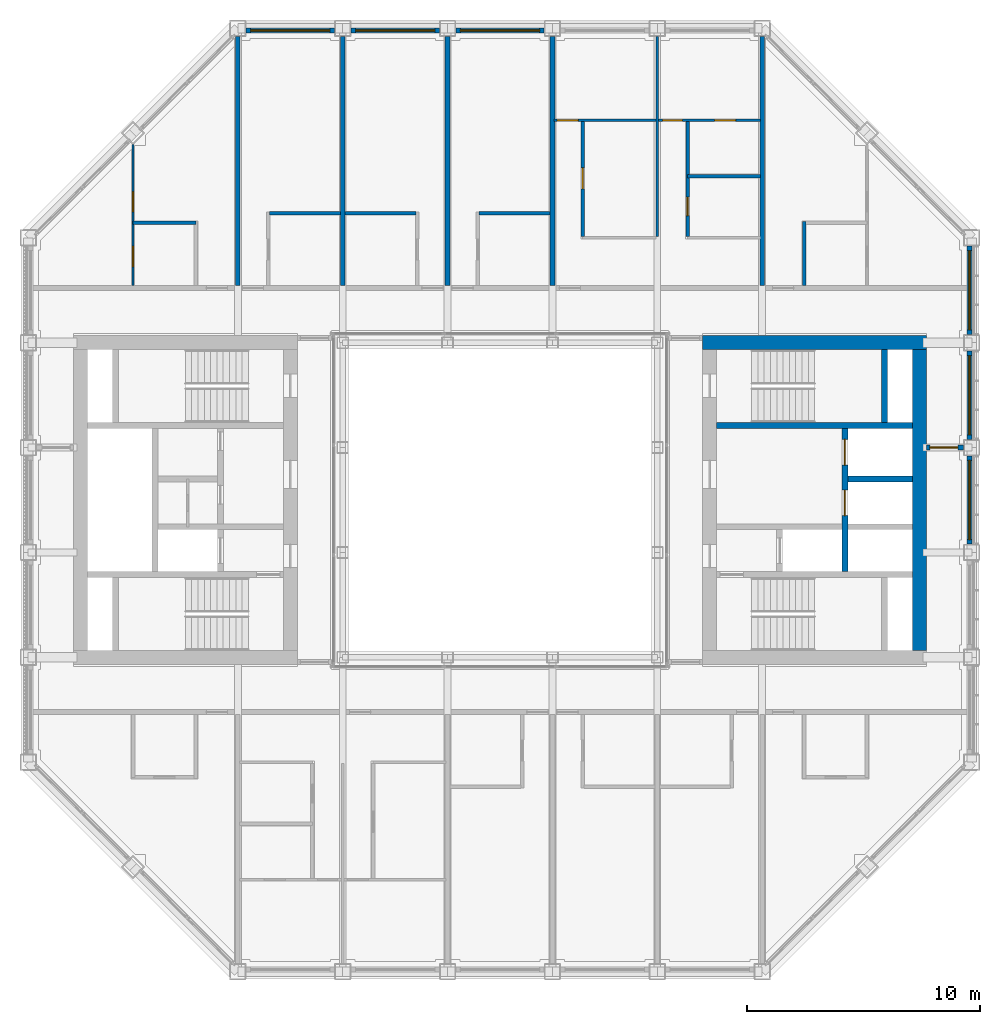
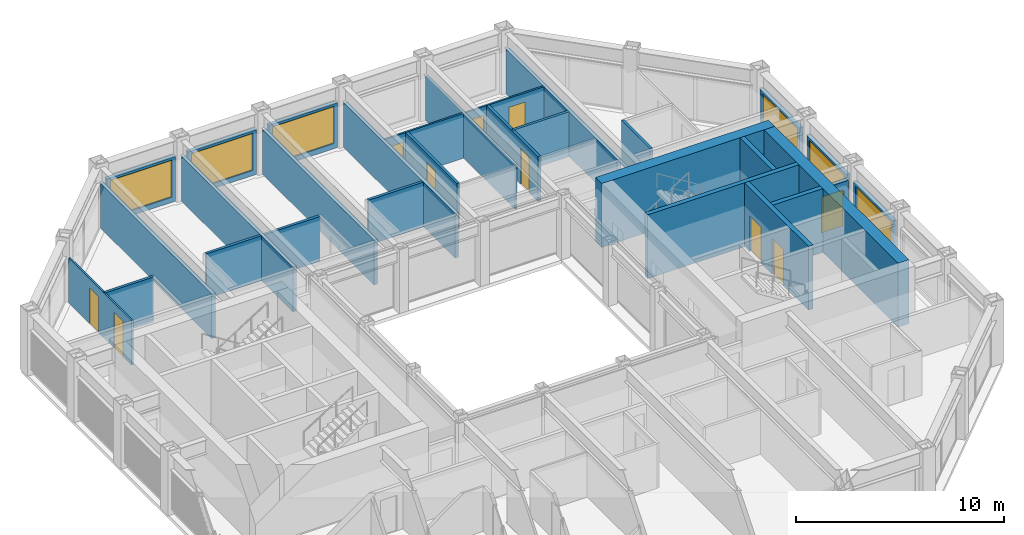
# One storey, part 12 of 18: 30 walls, 10 doors, 6 windows, 16 openings.
"""IFC4 building model written with IfcOpenShell, lengths in metres."""

from ifc_helpers import new_model, si_unit, direction, frame, frame_2d, origin, place, context, subcontext, project, spatial, rectangle, extrude, material, layer, layer_set, type_object, element, fill, save


model = new_model("IFC4")

# Units and contexts
model_context = context("Model", 3, precision=1e-05, world=origin(), true_north=direction((0.0, 1.0)))
body_context = subcontext(model_context, "Body", "Model", "MODEL_VIEW")
ifc_project = project(units=[si_unit("LENGTHUNIT", "METRE"), si_unit("AREAUNIT", "SQUARE_METRE"), si_unit("VOLUMEUNIT", "CUBIC_METRE"), si_unit("PLANEANGLEUNIT", "RADIAN"), si_unit("MASSUNIT", "GRAM", prefix="KILO")], contexts=[model_context])

# Site, building, storey
site_placement = place(None, origin())
site = spatial("IfcSite", under=ifc_project, at=site_placement, CompositionType="ELEMENT")
building_placement = place(site_placement, origin())
building = spatial("IfcBuilding", under=site, at=building_placement, Name="Msasa Ring Tower", CompositionType="ELEMENT")
storey_placement = place(building_placement, frame((0.0, 0.0, 227.050048828125)))
storey = spatial("IfcBuildingStorey", under=building, at=storey_placement, Name="L59", CompositionType="ELEMENT", Elevation=227.050048828125)

# Walls
ifc_material_1 = material(Name="Concrete C60/75", Category="concrete")
ifc_layer_1 = layer(ifc_material_1, 0.60009765625)
ifc_layer_set_1 = layer_set([ifc_layer_1], Name="CW3 CORE WALL 600")
wall_type_1 = type_object("IfcWallType", Name="CW3 CORE WALL 600", PredefinedType="SHEAR", material=ifc_layer_set_1)
wall_1_placement = place(storey_placement, frame((8.699951171875, 6.75, 0.0), z_axis=(0.0, 0.0, 1.0), x_axis=(1.0, 0.0, 0.0)))
element("IfcWall", 1, at=wall_1_placement, inside=storey, type_object=wall_type_1, Name="E core wall N L59", PredefinedType="SHEAR", context=body_context, shape_type="SweptSolid", body=[
    extrude(rectangle(XDim=9.60009765625, YDim=0.60009765625, at=frame_2d((4.800048828125, 0.0))), origin(), (0.0, 0.0, 1.0), 3.75),
])
wall_2_placement = place(storey_placement, frame((18.0, -6.449951171875, 0.0), z_axis=(0.0, 0.0, 1.0), x_axis=(0.0, 1.0, 0.0)))
element("IfcWall", 2, at=wall_2_placement, inside=storey, type_object=wall_type_1, Name="E core wall E L59", PredefinedType="SHEAR", context=body_context, shape_type="SweptSolid", body=[
    extrude(rectangle(XDim=12.89990234375, YDim=0.60009765625, at=frame_2d((6.449951171875, 0.0))), origin(), (0.0, 0.0, 1.0), 3.75),
])
ifc_material_2 = material(Name="Concrete C60/75", Category="concrete")
ifc_layer_2 = layer(ifc_material_2, 0.25)
ifc_layer_set_2 = layer_set([ifc_layer_2], Name="CW4 CORE INNER WALL 250")
wall_type_2 = type_object("IfcWallType", Name="CW4 CORE INNER WALL 250", PredefinedType="SHEAR", material=ifc_layer_set_2)
wall_3_placement = place(storey_placement, frame((9.300048828125, 3.199951171875, 0.0), z_axis=(0.0, 0.0, 1.0), x_axis=(1.0, 0.0, 0.0)))
element("IfcWall", 3, at=wall_3_placement, inside=storey, type_object=wall_type_2, Name="E core wall STAIRB L59", PredefinedType="SHEAR", context=body_context, shape_type="SweptSolid", body=[
    extrude(rectangle(XDim=8.39990234375, YDim=0.25, at=frame_2d((4.199951171875, 0.0))), origin(), (0.0, 0.0, 1.0), 3.75),
])
wall_4_placement = place(storey_placement, frame((16.5, 3.324951171875, 0.0), z_axis=(0.0, 0.0, 1.0), x_axis=(0.0, 1.0, 0.0)))
element("IfcWall", 4, at=wall_4_placement, inside=storey, type_object=wall_type_2, Name="E core wall RISERB L59", PredefinedType="SHEAR", context=body_context, shape_type="SweptSolid", body=[
    extrude(rectangle(XDim=3.125, YDim=0.25, at=frame_2d((1.5625, 0.0))), origin(), (0.0, 0.0, 1.0), 3.75),
])

# Wall, openings, doors
wall_5_placement = place(storey_placement, frame((14.800048828125, -3.074951171875, 0.0), z_axis=(0.0, 0.0, 1.0), x_axis=(0.0, 1.0, 0.0)))
wall_5 = element("IfcWall", 5, at=wall_5_placement, inside=storey, type_object=wall_type_2, Name="E core wall SHAFT L59", PredefinedType="SHEAR", context=body_context, shape_type="SweptSolid", body=[
    extrude(rectangle(XDim=6.14990234375, YDim=0.25, at=frame_2d((3.074951171875, 0.0))), origin(), (0.0, 0.0, 1.0), 3.75),
])
opening_1_placement = place(wall_5_placement, frame((2.39990234375, 0.0, 0.0)))
opening_1 = element("IfcOpeningElement", 6, at=opening_1_placement, cuts=wall_5, Name="Opening LD1", PredefinedType="OPENING", context=body_context, shape_type="SweptSolid", body=[
    extrude(rectangle(XDim=1.10009765625, YDim=2.10009765625, at=frame_2d((0.550048828125, 1.050048828125))), frame((0.0, 0.135009765625, 0.0), z_axis=(0.0, -1.0, 0.0), x_axis=(1.0, 0.0, 0.0)), (0.0, 0.0, 1.0), 0.27001953125),
])
opening_2_placement = place(wall_5_placement, frame((4.574951171875, 0.0, 0.0)))
opening_2 = element("IfcOpeningElement", 7, at=opening_2_placement, cuts=wall_5, Name="Opening LD1", PredefinedType="OPENING", context=body_context, shape_type="SweptSolid", body=[
    extrude(rectangle(XDim=1.10009765625, YDim=2.10009765625, at=frame_2d((0.550048828125, 1.050048828125))), frame((0.0, 0.135009765625, 0.0), z_axis=(0.0, -1.0, 0.0), x_axis=(1.0, 0.0, 0.0)), (0.0, 0.0, 1.0), 0.27001953125),
])
ifc_material_3 = material(Name="Stainless steel lift landing door", Category="steel")
door_type_1 = type_object("IfcDoorType", Name="LD1 LIFT LANDING DOOR 1100x2100", OperationType="DOUBLE_DOOR_SLIDING", PredefinedType="DOOR", material=ifc_material_3)
door_1_placement = place(opening_1_placement, origin())
door_1 = element("IfcDoor", 8, at=door_1_placement, inside=storey, type_object=door_type_1, Name="Lift landing door PL-H1 L59", OperationType="DOUBLE_DOOR_SLIDING", OverallHeight=2.10009765625, OverallWidth=1.10009765625, PredefinedType="DOOR", context=body_context, shape_type="SweptSolid", body=[
    extrude(rectangle(XDim=1.10009765625, YDim=2.10009765625, at=frame_2d((0.550048828125, 1.050048828125))), frame((0.0, 0.02490234375, 0.0), z_axis=(0.0, -1.0, 0.0), x_axis=(1.0, 0.0, 0.0)), (0.0, 0.0, 1.0), 0.050048828125),
])
fill(opening_1, door_1)
door_2_placement = place(opening_2_placement, origin())
door_2 = element("IfcDoor", 9, at=door_2_placement, inside=storey, type_object=door_type_1, Name="Lift landing door PL-H2 L59", OperationType="DOUBLE_DOOR_SLIDING", OverallHeight=2.10009765625, OverallWidth=1.10009765625, PredefinedType="DOOR", context=body_context, shape_type="SweptSolid", body=[
    extrude(rectangle(XDim=1.10009765625, YDim=2.10009765625, at=frame_2d((0.550048828125, 1.050048828125))), frame((0.0, 0.02490234375, 0.0), z_axis=(0.0, -1.0, 0.0), x_axis=(1.0, 0.0, 0.0)), (0.0, 0.0, 1.0), 0.050048828125),
])
fill(opening_2, door_2)

# Wall
wall_6_placement = place(storey_placement, frame((14.925048828125, 0.89990234375, 0.0), z_axis=(0.0, 0.0, 1.0), x_axis=(1.0, 0.0, 0.0)))
element("IfcWall", 10, at=wall_6_placement, inside=storey, type_object=wall_type_2, Name="E core wall HLIFT L59", PredefinedType="SHEAR", context=body_context, shape_type="SweptSolid", body=[
    extrude(rectangle(XDim=2.77490234375, YDim=0.25, at=frame_2d((1.387451171875, 0.0))), origin(), (0.0, 0.0, 1.0), 3.75),
])

# Wall, opening, window
ifc_material_4 = material(Name="Terracotta rainscreen on blockwork", Category="masonry")
ifc_layer_3 = layer(ifc_material_4, 0.199951171875)
ifc_layer_set_3 = layer_set([ifc_layer_3], Name="FW1 TERRACOTTA-LINED INFILL BAY WALL 200")
wall_type_3 = type_object("IfcWallType", Name="FW1 TERRACOTTA-LINED INFILL BAY WALL 200", PredefinedType="SOLIDWALL", material=ifc_layer_set_3)
wall_7_placement = place(storey_placement, frame((20.14990234375, -1.89501953125, 0.0), z_axis=(0.0, 0.0, 1.0), x_axis=(0.0, 1.0, 0.0)))
wall_7 = element("IfcWall", 11, at=wall_7_placement, inside=storey, type_object=wall_type_3, Name="Infill bay wall E L59 09", PredefinedType="SOLIDWALL", context=body_context, shape_type="SweptSolid", body=[
    extrude(rectangle(XDim=3.7900390625, YDim=0.199951171875, at=frame_2d((1.89501953125, 0.0))), origin(), (0.0, 0.0, 1.0), 2.62890625),
])
opening_3_placement = place(wall_7_placement, frame((0.195068359375, 0.0, 0.300048828125)))
opening_3 = element("IfcOpeningElement", 12, at=opening_3_placement, cuts=wall_7, Name="Opening WN3", PredefinedType="OPENING", context=body_context, shape_type="SweptSolid", body=[
    extrude(rectangle(XDim=3.39990234375, YDim=2.178955078125, at=frame_2d((1.699951171875, 1.08935546875))), frame((0.0, 0.10986328125, 0.0), z_axis=(0.0, -1.0, 0.0), x_axis=(1.0, 0.0, 0.0)), (0.0, 0.0, 1.0), 0.219970703125),
])
ifc_material_5 = material(Name="Aluminium frame with clear glass", Category="aluminium")
window_type = type_object("IfcWindowType", Name="WN3 SUITE WINDOW 3400x2179", PartitioningType="SINGLE_PANEL", PredefinedType="WINDOW", material=ifc_material_5)
window_1_placement = place(opening_3_placement, origin())
window_1 = element("IfcWindow", 13, at=window_1_placement, inside=storey, type_object=window_type, Name="Window E L59 09", OverallHeight=2.178955078125, OverallWidth=3.39990234375, PartitioningType="SINGLE_PANEL", PredefinedType="WINDOW", context=body_context, shape_type="SweptSolid", body=[
    extrude(rectangle(XDim=3.39990234375, YDim=2.178955078125, at=frame_2d((1.699951171875, 1.08935546875))), frame((0.0, 0.030029296875, 0.0), z_axis=(0.0, -1.0, 0.0), x_axis=(1.0, 0.0, 0.0)), (0.0, 0.0, 1.0), 0.06005859375),
])
fill(opening_3, window_1)

wall_8_placement = place(storey_placement, frame((20.14990234375, 2.60498046875, 0.0), z_axis=(0.0, 0.0, 1.0), x_axis=(0.0, 1.0, 0.0)))
wall_8 = element("IfcWall", 14, at=wall_8_placement, inside=storey, type_object=wall_type_3, Name="Infill bay wall E L59 10", PredefinedType="SOLIDWALL", context=body_context, shape_type="SweptSolid", body=[
    extrude(rectangle(XDim=3.7900390625, YDim=0.199951171875, at=frame_2d((1.89501953125, 0.0))), origin(), (0.0, 0.0, 1.0), 2.62890625),
])
opening_4_placement = place(wall_8_placement, frame((0.195068359375, 0.0, 0.300048828125)))
opening_4 = element("IfcOpeningElement", 15, at=opening_4_placement, cuts=wall_8, Name="Opening WN3", PredefinedType="OPENING", context=body_context, shape_type="SweptSolid", body=[
    extrude(rectangle(XDim=3.39990234375, YDim=2.178955078125, at=frame_2d((1.699951171875, 1.08935546875))), frame((0.0, 0.10986328125, 0.0), z_axis=(0.0, -1.0, 0.0), x_axis=(1.0, 0.0, 0.0)), (0.0, 0.0, 1.0), 0.219970703125),
])
window_2_placement = place(opening_4_placement, origin())
window_2 = element("IfcWindow", 16, at=window_2_placement, inside=storey, type_object=window_type, Name="Window E L59 10", OverallHeight=2.178955078125, OverallWidth=3.39990234375, PartitioningType="SINGLE_PANEL", PredefinedType="WINDOW", context=body_context, shape_type="SweptSolid", body=[
    extrude(rectangle(XDim=3.39990234375, YDim=2.178955078125, at=frame_2d((1.699951171875, 1.08935546875))), frame((0.0, 0.030029296875, 0.0), z_axis=(0.0, -1.0, 0.0), x_axis=(1.0, 0.0, 0.0)), (0.0, 0.0, 1.0), 0.06005859375),
])
fill(opening_4, window_2)

wall_9_placement = place(storey_placement, frame((20.14990234375, 7.10498046875, 0.0), z_axis=(0.0, 0.0, 1.0), x_axis=(0.0, 1.0, 0.0)))
wall_9 = element("IfcWall", 17, at=wall_9_placement, inside=storey, type_object=wall_type_3, Name="Infill bay wall E L59 11", PredefinedType="SOLIDWALL", context=body_context, shape_type="SweptSolid", body=[
    extrude(rectangle(XDim=3.7900390625, YDim=0.199951171875, at=frame_2d((1.89501953125, 0.0))), origin(), (0.0, 0.0, 1.0), 2.62890625),
])
opening_5_placement = place(wall_9_placement, frame((0.195068359375, 0.0, 0.300048828125)))
opening_5 = element("IfcOpeningElement", 18, at=opening_5_placement, cuts=wall_9, Name="Opening WN3", PredefinedType="OPENING", context=body_context, shape_type="SweptSolid", body=[
    extrude(rectangle(XDim=3.39990234375, YDim=2.178955078125, at=frame_2d((1.699951171875, 1.08935546875))), frame((0.0, 0.10986328125, 0.0), z_axis=(0.0, -1.0, 0.0), x_axis=(1.0, 0.0, 0.0)), (0.0, 0.0, 1.0), 0.219970703125),
])
window_3_placement = place(opening_5_placement, origin())
window_3 = element("IfcWindow", 19, at=window_3_placement, inside=storey, type_object=window_type, Name="Window E L59 11", OverallHeight=2.178955078125, OverallWidth=3.39990234375, PartitioningType="SINGLE_PANEL", PredefinedType="WINDOW", context=body_context, shape_type="SweptSolid", body=[
    extrude(rectangle(XDim=3.39990234375, YDim=2.178955078125, at=frame_2d((1.699951171875, 1.08935546875))), frame((0.0, 0.030029296875, 0.0), z_axis=(0.0, -1.0, 0.0), x_axis=(1.0, 0.0, 0.0)), (0.0, 0.0, 1.0), 0.06005859375),
])
fill(opening_5, window_3)

wall_10_placement = place(storey_placement, frame((-10.89501953125, 20.14990234375, 0.0), z_axis=(0.0, 0.0, 1.0), x_axis=(1.0, 0.0, 0.0)))
wall_10 = element("IfcWall", 20, at=wall_10_placement, inside=storey, type_object=wall_type_3, Name="Infill bay wall N L59 14", PredefinedType="SOLIDWALL", context=body_context, shape_type="SweptSolid", body=[
    extrude(rectangle(XDim=3.7900390625, YDim=0.199951171875, at=frame_2d((1.89501953125, 0.0))), origin(), (0.0, 0.0, 1.0), 2.62890625),
])
opening_6_placement = place(wall_10_placement, frame((0.195068359375, 0.0, 0.300048828125)))
opening_6 = element("IfcOpeningElement", 21, at=opening_6_placement, cuts=wall_10, Name="Opening WN3", PredefinedType="OPENING", context=body_context, shape_type="SweptSolid", body=[
    extrude(rectangle(XDim=3.39990234375, YDim=2.178955078125, at=frame_2d((1.699951171875, 1.08935546875))), frame((0.0, 0.10986328125, 0.0), z_axis=(0.0, -1.0, 0.0), x_axis=(1.0, 0.0, 0.0)), (0.0, 0.0, 1.0), 0.219970703125),
])
window_4_placement = place(opening_6_placement, origin())
window_4 = element("IfcWindow", 22, at=window_4_placement, inside=storey, type_object=window_type, Name="Window N L59 14", OverallHeight=2.178955078125, OverallWidth=3.39990234375, PartitioningType="SINGLE_PANEL", PredefinedType="WINDOW", context=body_context, shape_type="SweptSolid", body=[
    extrude(rectangle(XDim=3.39990234375, YDim=2.178955078125, at=frame_2d((1.699951171875, 1.08935546875))), frame((0.0, 0.030029296875, 0.0), z_axis=(0.0, -1.0, 0.0), x_axis=(1.0, 0.0, 0.0)), (0.0, 0.0, 1.0), 0.06005859375),
])
fill(opening_6, window_4)

wall_11_placement = place(storey_placement, frame((-6.39501953125, 20.14990234375, 0.0), z_axis=(0.0, 0.0, 1.0), x_axis=(1.0, 0.0, 0.0)))
wall_11 = element("IfcWall", 23, at=wall_11_placement, inside=storey, type_object=wall_type_3, Name="Infill bay wall N L59 15", PredefinedType="SOLIDWALL", context=body_context, shape_type="SweptSolid", body=[
    extrude(rectangle(XDim=3.7900390625, YDim=0.199951171875, at=frame_2d((1.89501953125, 0.0))), origin(), (0.0, 0.0, 1.0), 2.62890625),
])
opening_7_placement = place(wall_11_placement, frame((0.195068359375, 0.0, 0.300048828125)))
opening_7 = element("IfcOpeningElement", 24, at=opening_7_placement, cuts=wall_11, Name="Opening WN3", PredefinedType="OPENING", context=body_context, shape_type="SweptSolid", body=[
    extrude(rectangle(XDim=3.39990234375, YDim=2.178955078125, at=frame_2d((1.699951171875, 1.08935546875))), frame((0.0, 0.10986328125, 0.0), z_axis=(0.0, -1.0, 0.0), x_axis=(1.0, 0.0, 0.0)), (0.0, 0.0, 1.0), 0.219970703125),
])
window_5_placement = place(opening_7_placement, origin())
window_5 = element("IfcWindow", 25, at=window_5_placement, inside=storey, type_object=window_type, Name="Window N L59 15", OverallHeight=2.178955078125, OverallWidth=3.39990234375, PartitioningType="SINGLE_PANEL", PredefinedType="WINDOW", context=body_context, shape_type="SweptSolid", body=[
    extrude(rectangle(XDim=3.39990234375, YDim=2.178955078125, at=frame_2d((1.699951171875, 1.08935546875))), frame((0.0, 0.030029296875, 0.0), z_axis=(0.0, -1.0, 0.0), x_axis=(1.0, 0.0, 0.0)), (0.0, 0.0, 1.0), 0.06005859375),
])
fill(opening_7, window_5)

wall_12_placement = place(storey_placement, frame((-1.89501953125, 20.14990234375, 0.0), z_axis=(0.0, 0.0, 1.0), x_axis=(1.0, 0.0, 0.0)))
wall_12 = element("IfcWall", 26, at=wall_12_placement, inside=storey, type_object=wall_type_3, Name="Infill bay wall N L59 16", PredefinedType="SOLIDWALL", context=body_context, shape_type="SweptSolid", body=[
    extrude(rectangle(XDim=3.7900390625, YDim=0.199951171875, at=frame_2d((1.89501953125, 0.0))), origin(), (0.0, 0.0, 1.0), 2.62890625),
])
opening_8_placement = place(wall_12_placement, frame((0.195068359375, 0.0, 0.300048828125)))
opening_8 = element("IfcOpeningElement", 27, at=opening_8_placement, cuts=wall_12, Name="Opening WN3", PredefinedType="OPENING", context=body_context, shape_type="SweptSolid", body=[
    extrude(rectangle(XDim=3.39990234375, YDim=2.178955078125, at=frame_2d((1.699951171875, 1.08935546875))), frame((0.0, 0.10986328125, 0.0), z_axis=(0.0, -1.0, 0.0), x_axis=(1.0, 0.0, 0.0)), (0.0, 0.0, 1.0), 0.219970703125),
])
window_6_placement = place(opening_8_placement, origin())
window_6 = element("IfcWindow", 28, at=window_6_placement, inside=storey, type_object=window_type, Name="Window N L59 16", OverallHeight=2.178955078125, OverallWidth=3.39990234375, PartitioningType="SINGLE_PANEL", PredefinedType="WINDOW", context=body_context, shape_type="SweptSolid", body=[
    extrude(rectangle(XDim=3.39990234375, YDim=2.178955078125, at=frame_2d((1.699951171875, 1.08935546875))), frame((0.0, 0.030029296875, 0.0), z_axis=(0.0, -1.0, 0.0), x_axis=(1.0, 0.0, 0.0)), (0.0, 0.0, 1.0), 0.06005859375),
])
fill(opening_8, window_6)

# Wall, opening, door
ifc_material_6 = material(Name="Concrete blockwork", Category="masonry")
ifc_layer_4 = layer(ifc_material_6, 0.199951171875)
ifc_layer_set_4 = layer_set([ifc_layer_4], Name="PT1 CORRIDOR WALL 200")
wall_type_4 = type_object("IfcWallType", Name="PT1 CORRIDOR WALL 200", PredefinedType="PARTITIONING", material=ifc_layer_set_4)
wall_13_placement = place(storey_placement, frame((18.300048828125, 2.25, 0.0), z_axis=(0.0, 0.0, 1.0), x_axis=(1.0, 0.0, 0.0)))
wall_13 = element("IfcWall", 29, at=wall_13_placement, inside=storey, type_object=wall_type_4, Name="Corridor wall L59-WSE", PredefinedType="PARTITIONING", context=body_context, shape_type="SweptSolid", body=[
    extrude(rectangle(XDim=1.599853515625, YDim=0.199951171875, at=frame_2d((0.7998046875, 0.0))), origin(), (0.0, 0.0, 1.0), 2.62890625),
])
opening_9_placement = place(wall_13_placement, frame((0.14990234375, 0.0, 0.0)))
opening_9 = element("IfcOpeningElement", 30, at=opening_9_placement, cuts=wall_13, Name="Opening SC-025", PredefinedType="OPENING", context=body_context, shape_type="SweptSolid", body=[
    extrude(rectangle(XDim=1.199951171875, YDim=2.10009765625, at=frame_2d((0.60009765625, 1.050048828125))), frame((0.0, 0.10986328125, 0.0), z_axis=(0.0, -1.0, 0.0), x_axis=(1.0, 0.0, 0.0)), (0.0, 0.0, 1.0), 0.219970703125),
])
ifc_material_7 = material(Name="Timber door leaf in a steel frame", Category="steel")
door_type_2 = type_object("IfcDoorType", Name="D25 CORRIDOR PAIR OF SMOKE DOORS 1200x2100", OperationType="DOUBLE_DOOR_DOUBLE_SWING", PredefinedType="DOOR", material=ifc_material_7)
door_3_placement = place(opening_9_placement, origin())
door_3 = element("IfcDoor", 31, at=door_3_placement, inside=storey, type_object=door_type_2, Name="Door L59-WSE", OperationType="DOUBLE_DOOR_DOUBLE_SWING", OverallHeight=2.10009765625, OverallWidth=1.199951171875, PredefinedType="DOOR", context=body_context, shape_type="SweptSolid", body=[
    extrude(rectangle(XDim=1.199951171875, YDim=2.10009765625, at=frame_2d((0.60009765625, 1.050048828125))), frame((0.0, 0.02490234375, 0.0), z_axis=(0.0, -1.0, 0.0), x_axis=(1.0, 0.0, 0.0)), (0.0, 0.0, 1.0), 0.050048828125),
])
fill(opening_9, door_3)

ifc_material_8 = material(Name="Gypsum board on steel studs", Category="steel")
ifc_layer_5 = layer(ifc_material_8, 0.10009765625)
ifc_layer_set_5 = layer_set([ifc_layer_5], Name="PT2 STUD PARTITION 100")
wall_type_5 = type_object("IfcWallType", Name="PT2 STUD PARTITION 100", PredefinedType="PARTITIONING", material=ifc_layer_set_5)
wall_14_placement = place(storey_placement, frame((2.31005859375, 16.300048828125, 0.0), z_axis=(0.0, 0.0, 1.0), x_axis=(1.0, 0.0, 0.0)))
wall_14 = element("IfcWall", 32, at=wall_14_placement, inside=storey, type_object=wall_type_5, Name="Partition L59-JN03SY0", PredefinedType="PARTITIONING", context=body_context, shape_type="SweptSolid", body=[
    extrude(rectangle(XDim=4.389892578125, YDim=0.10009765625, at=frame_2d((2.19482421875, 0.0))), origin(), (0.0, 0.0, 1.0), 2.62890625),
])
opening_10_placement = place(wall_14_placement, frame((0.139892578125, 0.0, 0.0)))
opening_10 = element("IfcOpeningElement", 33, at=opening_10_placement, cuts=wall_14, Name="Opening SC-001", PredefinedType="OPENING", context=body_context, shape_type="SweptSolid", body=[
    extrude(rectangle(XDim=0.89990234375, YDim=2.10009765625, at=frame_2d((0.449951171875, 1.050048828125))), frame((0.0, 0.06005859375, 0.0), z_axis=(0.0, -1.0, 0.0), x_axis=(1.0, 0.0, 0.0)), (0.0, 0.0, 1.0), 0.1201171875),
])
ifc_material_9 = material(Name="Timber door leaf in a steel frame", Category="steel")
door_type_3 = type_object("IfcDoorType", Name="D22 INTERNAL HALL DOOR 900x2100", OperationType="SINGLE_SWING_LEFT", PredefinedType="DOOR", material=ifc_material_9)
door_4_placement = place(opening_10_placement, origin())
door_4 = element("IfcDoor", 34, at=door_4_placement, inside=storey, type_object=door_type_3, Name="Door L59-JN03L", OperationType="SINGLE_SWING_LEFT", OverallHeight=2.10009765625, OverallWidth=0.89990234375, PredefinedType="DOOR", context=body_context, shape_type="SweptSolid", body=[
    extrude(rectangle(XDim=0.89990234375, YDim=2.10009765625, at=frame_2d((0.449951171875, 1.050048828125))), frame((0.0, 0.02490234375, 0.0), z_axis=(0.0, -1.0, 0.0), x_axis=(1.0, 0.0, 0.0)), (0.0, 0.0, 1.0), 0.050048828125),
])
fill(opening_10, door_4)

# Wall
wall_15_placement = place(storey_placement, frame((6.75, 11.300048828125, 0.0), z_axis=(0.0, 0.0, 1.0), x_axis=(0.0, 1.0, 0.0)))
element("IfcWall", 35, at=wall_15_placement, inside=storey, type_object=wall_type_5, Name="Partition L59-JN03P1", PredefinedType="PARTITIONING", context=body_context, shape_type="SweptSolid", body=[
    extrude(rectangle(XDim=8.599853515625, YDim=0.10009765625, at=frame_2d((4.2998046875, 0.0))), origin(), (0.0, 0.0, 1.0), 2.62890625),
])

# Wall, openings, doors
wall_16_placement = place(storey_placement, frame((6.800048828125, 16.300048828125, 0.0), z_axis=(0.0, 0.0, 1.0), x_axis=(1.0, 0.0, 0.0)))
wall_16 = element("IfcWall", 36, at=wall_16_placement, inside=storey, type_object=wall_type_5, Name="Partition L59-JN03SY1", PredefinedType="PARTITIONING", context=body_context, shape_type="SweptSolid", body=[
    extrude(rectangle(XDim=4.389892578125, YDim=0.10009765625, at=frame_2d((2.19482421875, 0.0))), origin(), (0.0, 0.0, 1.0), 2.62890625),
])
opening_11_placement = place(wall_16_placement, frame((0.175048828125, 0.0, 0.0)))
opening_11 = element("IfcOpeningElement", 37, at=opening_11_placement, cuts=wall_16, Name="Opening SC-002", PredefinedType="OPENING", context=body_context, shape_type="SweptSolid", body=[
    extrude(rectangle(XDim=0.85009765625, YDim=2.10009765625, at=frame_2d((0.425048828125, 1.050048828125))), frame((0.0, 0.06005859375, 0.0), z_axis=(0.0, -1.0, 0.0), x_axis=(1.0, 0.0, 0.0)), (0.0, 0.0, 1.0), 0.1201171875),
])
opening_12_placement = place(wall_16_placement, frame((2.409912109375, 0.0, 0.0)))
opening_12 = element("IfcOpeningElement", 38, at=opening_12_placement, cuts=wall_16, Name="Opening SC-003", PredefinedType="OPENING", context=body_context, shape_type="SweptSolid", body=[
    extrude(rectangle(XDim=0.89990234375, YDim=2.10009765625, at=frame_2d((0.449951171875, 1.050048828125))), frame((0.0, 0.06005859375, 0.0), z_axis=(0.0, -1.0, 0.0), x_axis=(1.0, 0.0, 0.0)), (0.0, 0.0, 1.0), 0.1201171875),
])
ifc_material_10 = material(Name="Timber door leaf in a steel frame", Category="steel")
door_type_4 = type_object("IfcDoorType", Name="D14 BEDROOM DOOR 850x2100", OperationType="SINGLE_SWING_LEFT", PredefinedType="DOOR", material=ifc_material_10)
door_5_placement = place(opening_11_placement, origin())
door_5 = element("IfcDoor", 39, at=door_5_placement, inside=storey, type_object=door_type_4, Name="Door L59-JN03R1", OperationType="SINGLE_SWING_LEFT", OverallHeight=2.10009765625, OverallWidth=0.85009765625, PredefinedType="DOOR", context=body_context, shape_type="SweptSolid", body=[
    extrude(rectangle(XDim=0.85009765625, YDim=2.10009765625, at=frame_2d((0.425048828125, 1.050048828125))), frame((0.0, 0.02490234375, 0.0), z_axis=(0.0, -1.0, 0.0), x_axis=(1.0, 0.0, 0.0)), (0.0, 0.0, 1.0), 0.050048828125),
])
fill(opening_11, door_5)
ifc_material_11 = material(Name="Timber door leaf in a steel frame", Category="steel")
door_type_5 = type_object("IfcDoorType", Name="D3 BATHROOM DOOR 900x2100", OperationType="SINGLE_SWING_LEFT", PredefinedType="DOOR", material=ifc_material_11)
door_6_placement = place(opening_12_placement, origin())
door_6 = element("IfcDoor", 40, at=door_6_placement, inside=storey, type_object=door_type_5, Name="Door L59-JN03B1", OperationType="SINGLE_SWING_RIGHT", OverallHeight=2.10009765625, OverallWidth=0.89990234375, PredefinedType="DOOR", context=body_context, shape_type="SweptSolid", body=[
    extrude(rectangle(XDim=0.89990234375, YDim=2.10009765625, at=frame_2d((0.449951171875, 1.050048828125))), frame((0.0, 0.02490234375, 0.0), z_axis=(0.0, -1.0, 0.0), x_axis=(1.0, 0.0, 0.0)), (0.0, 0.0, 1.0), 0.050048828125),
])
fill(opening_12, door_6)

wall_17_placement = place(storey_placement, frame((-15.75, 9.199951171875, 0.0), z_axis=(0.0, 0.0, 1.0), x_axis=(0.0, 1.0, 0.0)))
wall_17 = element("IfcWall", 41, at=wall_17_placement, inside=storey, type_object=wall_type_5, Name="Partition L59-CSNWP1", PredefinedType="PARTITIONING", context=body_context, shape_type="SweptSolid", body=[
    extrude(rectangle(XDim=6.054931640625, YDim=0.10009765625, at=frame_2d((3.02734375, 0.0))), origin(), (0.0, 0.0, 1.0), 2.62890625),
])
opening_13_placement = place(wall_17_placement, frame((3.175048828125, 0.0, 0.0)))
opening_13 = element("IfcOpeningElement", 42, at=opening_13_placement, cuts=wall_17, Name="Opening SC-005", PredefinedType="OPENING", context=body_context, shape_type="SweptSolid", body=[
    extrude(rectangle(XDim=0.85009765625, YDim=2.10009765625, at=frame_2d((0.425048828125, 1.050048828125))), frame((0.0, 0.06005859375, 0.0), z_axis=(0.0, -1.0, 0.0), x_axis=(1.0, 0.0, 0.0)), (0.0, 0.0, 1.0), 0.1201171875),
])
opening_14_placement = place(wall_17_placement, frame((0.800048828125, 0.0, 0.0)))
opening_14 = element("IfcOpeningElement", 43, at=opening_14_placement, cuts=wall_17, Name="Opening SC-011", PredefinedType="OPENING", context=body_context, shape_type="SweptSolid", body=[
    extrude(rectangle(XDim=0.89990234375, YDim=2.10009765625, at=frame_2d((0.449951171875, 1.050048828125))), frame((0.0, 0.06005859375, 0.0), z_axis=(0.0, -1.0, 0.0), x_axis=(1.0, 0.0, 0.0)), (0.0, 0.0, 1.0), 0.1201171875),
])
door_7_placement = place(opening_13_placement, origin())
door_7 = element("IfcDoor", 44, at=door_7_placement, inside=storey, type_object=door_type_4, Name="Door L59-CSNWR1", OperationType="SINGLE_SWING_RIGHT", OverallHeight=2.10009765625, OverallWidth=0.85009765625, PredefinedType="DOOR", context=body_context, shape_type="SweptSolid", body=[
    extrude(rectangle(XDim=0.85009765625, YDim=2.10009765625, at=frame_2d((0.425048828125, 1.050048828125))), frame((0.0, 0.02490234375, 0.0), z_axis=(0.0, -1.0, 0.0), x_axis=(1.0, 0.0, 0.0)), (0.0, 0.0, 1.0), 0.050048828125),
])
fill(opening_13, door_7)
door_8_placement = place(opening_14_placement, origin())
door_8 = element("IfcDoor", 45, at=door_8_placement, inside=storey, type_object=door_type_5, Name="Door L59-CSNWB1", OperationType="SINGLE_SWING_LEFT", OverallHeight=2.10009765625, OverallWidth=0.89990234375, PredefinedType="DOOR", context=body_context, shape_type="SweptSolid", body=[
    extrude(rectangle(XDim=0.89990234375, YDim=2.10009765625, at=frame_2d((0.449951171875, 1.050048828125))), frame((0.0, 0.02490234375, 0.0), z_axis=(0.0, -1.0, 0.0), x_axis=(1.0, 0.0, 0.0)), (0.0, 0.0, 1.0), 0.050048828125),
])
fill(opening_14, door_8)

# Walls
ifc_material_12 = material(Name="Dense concrete blockwork, plastered both faces", Category="masonry")
ifc_layer_6 = layer(ifc_material_12, 0.25)
ifc_layer_set_6 = layer_set([ifc_layer_6], Name="PT3 APARTMENT SEPARATING WALL 250")
wall_type_6 = type_object("IfcWallType", Name="PT3 APARTMENT SEPARATING WALL 250", PredefinedType="PARTITIONING", material=ifc_layer_set_6)
for number, where, z_axis, x_axis, name in (
    (46, (-11.25, 9.199951171875, 0.0), (0.0, 0.0, 1.0), (0.0, 1.0, 0.0), "Party wall L59-PWN-11.25"),
    (47, (-6.75, 9.199951171875, 0.0), (0.0, 0.0, 1.0), (0.0, 1.0, 0.0), "Party wall L59-PWN-6.75"),
    (48, (-2.25, 9.199951171875, 0.0), (0.0, 0.0, 1.0), (0.0, 1.0, 0.0), "Party wall L59-PWN-2.25"),
    (49, (2.25, 9.199951171875, 0.0), (0.0, 0.0, 1.0), (0.0, 1.0, 0.0), "Party wall L59-PWN+2.25"),
    (50, (11.25, 9.199951171875, 0.0), (0.0, 0.0, 1.0), (0.0, 1.0, 0.0), "Party wall L59-PWN+11.25"),
):
    element("IfcWall", number, at=place(storey_placement, frame(where, z_axis=z_axis, x_axis=x_axis)), inside=storey, type_object=wall_type_6, Name=name, PredefinedType="PARTITIONING", context=body_context, shape_type="SweptSolid", body=[
        extrude(rectangle(XDim=10.699951171875, YDim=0.199951171875, at=frame_2d((5.35009765625, 0.0))), origin(), (0.0, 0.0, 1.0), 2.62890625),
    ])
ifc_material_13 = material(Name="Moisture-resistant board on steel studs with a concealed cistern and pipe void, tiled", Category="steel")
ifc_layer_7 = layer(ifc_material_13, 0.14990234375)
ifc_layer_set_7 = layer_set([ifc_layer_7], Name="PT4 BATHROOM WET WALL 150")
wall_type_7 = type_object("IfcWallType", Name="PT4 BATHROOM WET WALL 150", PredefinedType="PARTITIONING", material=ifc_layer_set_7)
for number, where, z_axis, x_axis, name in (
    (51, (-9.89990234375, 12.300048828125, 0.0), (0.0, 0.0, 1.0), (1.0, 0.0, 0.0), "Partition L59-JN00BY"),
    (52, (-6.64990234375, 12.300048828125, 0.0), (0.0, 0.0, 1.0), (1.0, 0.0, 0.0), "Partition L59-JN01BY"),
    (53, (-0.89990234375, 12.300048828125, 0.0), (0.0, 0.0, 1.0), (1.0, 0.0, 0.0), "Partition L59-JN02BY"),
):
    element("IfcWall", number, at=place(storey_placement, frame(where, z_axis=z_axis, x_axis=x_axis)), inside=storey, type_object=wall_type_7, Name=name, PredefinedType="PARTITIONING", context=body_context, shape_type="SweptSolid", body=[
        extrude(rectangle(XDim=3.0498046875, YDim=0.14990234375, at=frame_2d((1.52490234375, 0.0))), origin(), (0.0, 0.0, 1.0), 2.62890625),
    ])

# Wall, opening, door
wall_18_placement = place(storey_placement, frame((3.550048828125, 11.300048828125, 0.0), z_axis=(0.0, 0.0, 1.0), x_axis=(0.0, 1.0, 0.0)))
wall_18 = element("IfcWall", 54, at=wall_18_placement, inside=storey, type_object=wall_type_7, Name="Partition L59-JN03SX0", PredefinedType="PARTITIONING", context=body_context, shape_type="SweptSolid", body=[
    extrude(rectangle(XDim=5.0, YDim=0.14990234375, at=frame_2d((2.5, 0.0))), origin(), (0.0, 0.0, 1.0), 2.62890625),
])
opening_15_placement = place(wall_18_placement, frame((2.050048828125, 0.0, 0.0)))
opening_15 = element("IfcOpeningElement", 55, at=opening_15_placement, cuts=wall_18, Name="Opening SC-004", PredefinedType="OPENING", context=body_context, shape_type="SweptSolid", body=[
    extrude(rectangle(XDim=0.89990234375, YDim=2.10009765625, at=frame_2d((0.449951171875, 1.050048828125))), frame((0.0, 0.0849609375, 0.0), z_axis=(0.0, -1.0, 0.0), x_axis=(1.0, 0.0, 0.0)), (0.0, 0.0, 1.0), 0.169921875),
])
door_9_placement = place(opening_15_placement, origin())
door_9 = element("IfcDoor", 56, at=door_9_placement, inside=storey, type_object=door_type_3, Name="Door L59-JN03K", OperationType="SINGLE_SWING_LEFT", OverallHeight=2.10009765625, OverallWidth=0.89990234375, PredefinedType="DOOR", context=body_context, shape_type="SweptSolid", body=[
    extrude(rectangle(XDim=0.89990234375, YDim=2.10009765625, at=frame_2d((0.449951171875, 1.050048828125))), frame((0.0, 0.02490234375, 0.0), z_axis=(0.0, -1.0, 0.0), x_axis=(1.0, 0.0, 0.0)), (0.0, 0.0, 1.0), 0.050048828125),
])
fill(opening_15, door_9)

wall_19_placement = place(storey_placement, frame((8.050048828125, 11.300048828125, 0.0), z_axis=(0.0, 0.0, 1.0), x_axis=(0.0, 1.0, 0.0)))
wall_19 = element("IfcWall", 57, at=wall_19_placement, inside=storey, type_object=wall_type_7, Name="Partition L59-JN03SX1", PredefinedType="PARTITIONING", context=body_context, shape_type="SweptSolid", body=[
    extrude(rectangle(XDim=5.0, YDim=0.14990234375, at=frame_2d((2.5, 0.0))), origin(), (0.0, 0.0, 1.0), 2.62890625),
])
opening_16_placement = place(wall_19_placement, frame((0.89990234375, 0.0, 0.0)))
opening_16 = element("IfcOpeningElement", 58, at=opening_16_placement, cuts=wall_19, Name="Opening SC-007", PredefinedType="OPENING", context=body_context, shape_type="SweptSolid", body=[
    extrude(rectangle(XDim=0.800048828125, YDim=2.10009765625, at=frame_2d((0.39990234375, 1.050048828125))), frame((0.0, 0.0849609375, 0.0), z_axis=(0.0, -1.0, 0.0), x_axis=(1.0, 0.0, 0.0)), (0.0, 0.0, 1.0), 0.169921875),
])
ifc_material_14 = material(Name="Timber door leaf in a steel frame", Category="steel")
door_type_6 = type_object("IfcDoorType", Name="D60 DRESSING ROOM DOOR 800x2100", OperationType="SINGLE_SWING_LEFT", PredefinedType="DOOR", material=ifc_material_14)
door_10_placement = place(opening_16_placement, origin())
door_10 = element("IfcDoor", 59, at=door_10_placement, inside=storey, type_object=door_type_6, Name="Door L59-JN03W1", OperationType="SINGLE_SWING_LEFT", OverallHeight=2.10009765625, OverallWidth=0.800048828125, PredefinedType="DOOR", context=body_context, shape_type="SweptSolid", body=[
    extrude(rectangle(XDim=0.800048828125, YDim=2.10009765625, at=frame_2d((0.39990234375, 1.050048828125))), frame((0.0, 0.02490234375, 0.0), z_axis=(0.0, -1.0, 0.0), x_axis=(1.0, 0.0, 0.0)), (0.0, 0.0, 1.0), 0.050048828125),
])
fill(opening_16, door_10)

# Walls
wall_20_placement = place(storey_placement, frame((8.050048828125, 13.89990234375, 0.0), z_axis=(0.0, 0.0, 1.0), x_axis=(1.0, 0.0, 0.0)))
element("IfcWall", 60, at=wall_20_placement, inside=storey, type_object=wall_type_7, Name="Partition L59-JN03SB1", PredefinedType="PARTITIONING", context=body_context, shape_type="SweptSolid", body=[
    extrude(rectangle(XDim=3.139892578125, YDim=0.14990234375, at=frame_2d((1.56982421875, 0.0))), origin(), (0.0, 0.0, 1.0), 2.62890625),
])
wall_21_placement = place(storey_placement, frame((13.050048828125, 9.199951171875, 0.0), z_axis=(0.0, 0.0, 1.0), x_axis=(0.0, 1.0, 0.0)))
element("IfcWall", 61, at=wall_21_placement, inside=storey, type_object=wall_type_7, Name="Partition L59-CSNEBX", PredefinedType="PARTITIONING", context=body_context, shape_type="SweptSolid", body=[
    extrude(rectangle(XDim=2.75, YDim=0.14990234375, at=frame_2d((1.375, 0.0))), origin(), (0.0, 0.0, 1.0), 2.62890625),
])
wall_22_placement = place(storey_placement, frame((-15.75, 11.89990234375, 0.0), z_axis=(0.0, 0.0, 1.0), x_axis=(1.0, 0.0, 0.0)))
element("IfcWall", 62, at=wall_22_placement, inside=storey, type_object=wall_type_7, Name="Partition L59-CSNWBY", PredefinedType="PARTITIONING", context=body_context, shape_type="SweptSolid", body=[
    extrude(rectangle(XDim=2.699951171875, YDim=0.14990234375, at=frame_2d((1.35009765625, 0.0))), origin(), (0.0, 0.0, 1.0), 2.62890625),
])

save(model, "model.ifc")
